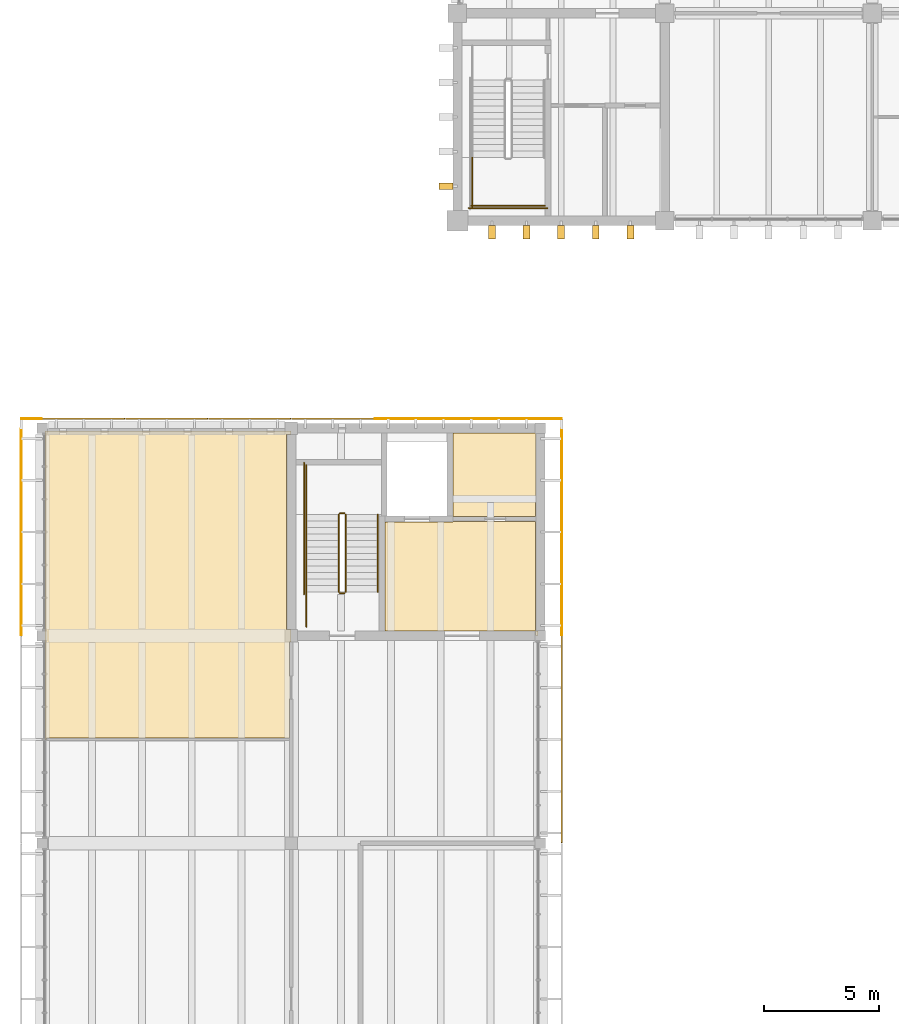
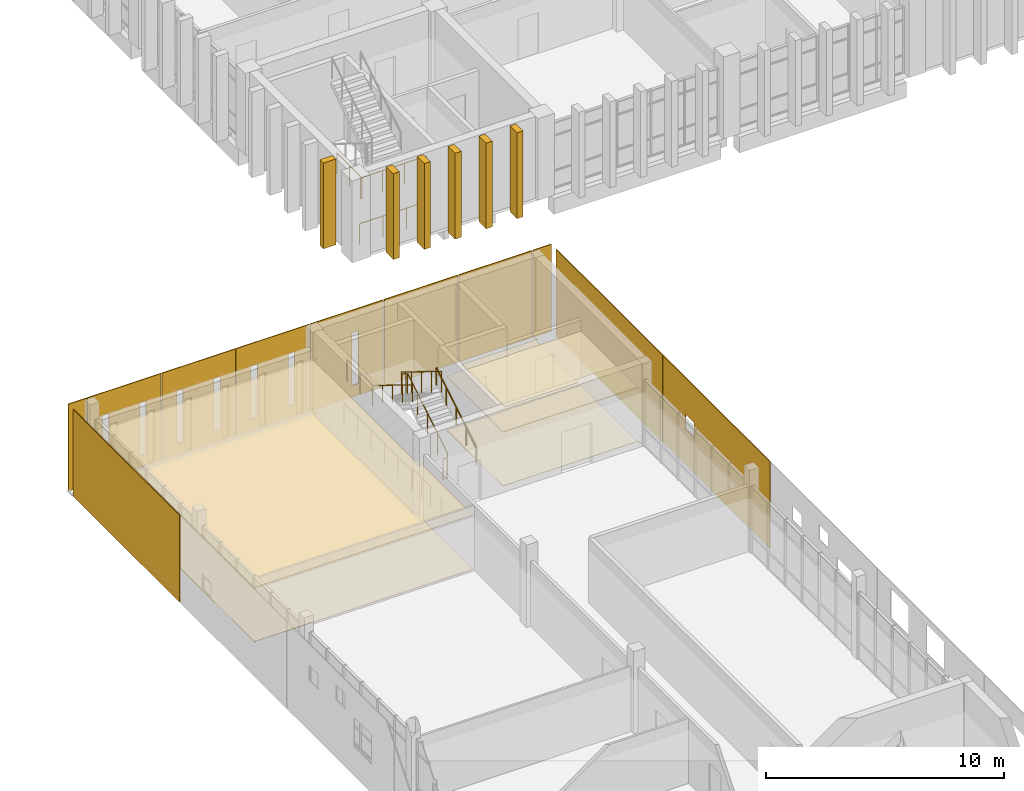
# One storey, part 46 of 50: 16 coverings, 12 railings, 6 shading devices.
"""IFC4 building model written with IfcOpenShell, lengths in metres."""

from ifc_helpers import new_model, si_unit, direction, frame, origin, origin_2d, place, context, subcontext, project, spatial, polyline, circle, outline, extrude, source, transform, mapped, material, layer, layer_set, type_object, element, save


model = new_model("IFC4")

# Units and contexts
model_context = context("Model", 3, precision=1e-05, world=origin(), true_north=direction((0.0, 1.0)))
body_context = subcontext(model_context, "Body", "Model", "MODEL_VIEW")
ifc_project = project(units=[si_unit("LENGTHUNIT", "METRE"), si_unit("AREAUNIT", "SQUARE_METRE"), si_unit("VOLUMEUNIT", "CUBIC_METRE"), si_unit("PLANEANGLEUNIT", "RADIAN"), si_unit("MASSUNIT", "GRAM", prefix="KILO")], contexts=[model_context])

# Site, building, storey
site_placement = place(None, origin())
site = spatial("IfcSite", under=ifc_project, at=site_placement, CompositionType="ELEMENT")
building_placement = place(site_placement, origin())
building = spatial("IfcBuilding", under=site, at=building_placement, Name="Merrow Basin Faculty of Sciences", CompositionType="ELEMENT")
storey_placement = place(building_placement, frame((0.0, 0.0, 18.0)))
storey = spatial("IfcBuildingStorey", under=building, at=storey_placement, Name="L04", CompositionType="ELEMENT", Elevation=18.0)

# Coverings
ifc_material_1 = material(Name="Carpet tile floor")
ifc_layer_1 = layer(ifc_material_1, 0.02001953125)
ifc_layer_set_1 = layer_set([ifc_layer_1], Name="Carpet tile floor")
covering_type_1 = type_object("IfcCoveringType", Name="Carpet tile floor", PredefinedType="FLOORING", material=ifc_layer_set_1)
covering_1_placement = place(storey_placement, origin())
element("IfcCovering", 1, at=covering_1_placement, inside=storey, type_object=covering_type_1, Name="Floor finish L04-B-013", PredefinedType="FLOORING", context=body_context, shape_type="SweptSolid", body=[
    extrude(outline(polyline([(21.389892578125, 129.18505859375), (17.81005859375, 129.18505859375), (17.81005859375, 132.7900390625), (21.385009765625, 132.7900390625), (21.385009765625, 132.889892578125), (21.489990234375, 132.889892578125), (21.489990234375, 132.784912109375), (21.389892578125, 132.784912109375), (21.389892578125, 129.18505859375)])), origin(), (0.0, 0.0, 1.0), 0.02001953125),
])
covering_2_placement = place(storey_placement, origin())
element("IfcCovering", 2, at=covering_2_placement, inside=storey, type_object=covering_type_1, Name="Floor finish L04-B-023", PredefinedType="FLOORING", context=body_context, shape_type="SweptSolid", body=[
    extrude(outline(polyline([(10.715087890625, 119.56005859375), (0.169921875, 119.56005859375), (0.169921875, 119.510009765625), (0.110107421875, 119.510009765625), (0.110107421875, 132.889892578125), (10.7900390625, 132.889892578125), (10.7900390625, 132.735107421875), (10.590087890625, 132.735107421875), (10.590087890625, 124.264892578125), (10.7900390625, 124.264892578125), (10.7900390625, 123.735107421875), (10.715087890625, 123.735107421875), (10.715087890625, 119.56005859375)])), origin(), (0.0, 0.0, 1.0), 0.02001953125),
])
ifc_material_2 = material(Name="Polished terrazzo floor")
ifc_layer_2 = layer(ifc_material_2, 0.02001953125)
ifc_layer_set_2 = layer_set([ifc_layer_2], Name="Polished terrazzo floor")
covering_type_2 = type_object("IfcCoveringType", Name="Polished terrazzo floor", PredefinedType="FLOORING", material=ifc_layer_set_2)
covering_3_placement = place(storey_placement, origin())
element("IfcCovering", 3, at=covering_3_placement, inside=storey, type_object=covering_type_2, Name="Floor finish L04-B-012", PredefinedType="FLOORING", context=body_context, shape_type="SweptSolid", body=[
    extrude(outline(polyline([(21.389892578125, 128.965087890625), (21.389892578125, 124.215087890625), (21.489990234375, 124.215087890625), (21.489990234375, 124.010009765625), (21.385009765625, 124.010009765625), (21.385009765625, 124.2099609375), (14.860107421875, 124.2099609375), (14.860107421875, 128.93994140625), (17.81005859375, 128.93994140625), (17.81005859375, 128.965087890625), (21.389892578125, 128.965087890625)])), origin(), (0.0, 0.0, 1.0), 0.02001953125),
])

# Railings
ifc_material_3 = material(Name="Steel ASTM A36", Category="steel")
railing_type_1 = type_object("IfcRailingType", Name="Steel guard 1100", PredefinedType="GUARDRAIL", material=ifc_material_3)
railing_1_placement = place(storey_placement, frame((13.14990234375, 125.89990234375, 0.173095703125)))
element("IfcRailing", 4, at=railing_1_placement, inside=storey, type_object=railing_type_1, Name="L04 ST-V4-N stair guard 1", PredefinedType="GUARDRAIL", context=body_context, shape_type="SweptSolid", body=[
    extrude(circle(Radius=0.02392578125, at=origin_2d()), frame((0.0, 0.0, 1.076171875), z_axis=(0.0, 0.850623216509, 0.525775754039), x_axis=(-1.0, 0.0, 0.0)), (0.0, 0.0, 1.0), 3.9501953125),
    extrude(circle(Radius=0.02099609375, at=origin_2d()), origin(), (0.0, 0.0, 1.0), 1.052001953125),
    extrude(circle(Radius=0.02099609375, at=origin_2d()), frame((0.0, 0.840087890625, 0.519287109375)), (0.0, 0.0, 1.0), 1.052001953125),
    extrude(circle(Radius=0.02099609375, at=origin_2d()), frame((0.0, 1.68017578125, 1.03857421875)), (0.0, 0.0, 1.0), 1.052001953125),
    extrude(circle(Radius=0.02099609375, at=origin_2d()), frame((0.0, 2.52001953125, 1.5576171875)), (0.0, 0.0, 1.0), 1.052001953125),
    extrude(circle(Radius=0.02099609375, at=origin_2d()), frame((0.0, 3.360107421875, 2.076904296875)), (0.0, 0.0, 1.0), 1.052001953125),
])
railing_2_placement = place(storey_placement, frame((13.10009765625, 129.31005859375, 2.25)))
element("IfcRailing", 5, at=railing_2_placement, inside=storey, type_object=railing_type_1, Name="L04 ST-V4-N stair guard 2", PredefinedType="GUARDRAIL", context=body_context, shape_type="SweptSolid", body=[
    extrude(circle(Radius=0.02392578125, at=origin_2d()), frame((0.0, 0.0, 1.076171875), z_axis=(-1.0, 0.0, 0.0), x_axis=(0.0, -1.0, 0.0)), (0.0, 0.0, 1.0), 0.2001953125),
    extrude(circle(Radius=0.02099609375, at=origin_2d()), origin(), (0.0, 0.0, 1.0), 1.052001953125),
    extrude(circle(Radius=0.02099609375, at=origin_2d()), frame((-0.2001953125, 0.0, 0.0)), (0.0, 0.0, 1.0), 1.052001953125),
])
railing_3_placement = place(storey_placement, frame((11.449951171875, 129.260009765625, 2.25)))
element("IfcRailing", 6, at=railing_3_placement, inside=storey, type_object=railing_type_1, Name="L04 ST-V4-N stair guard 3", PredefinedType="GUARDRAIL", context=body_context, shape_type="SweptSolid", body=[
    extrude(circle(Radius=0.02392578125, at=origin_2d()), frame((0.0, 0.0, 1.076171875), z_axis=(0.0, 1.0, 0.0), x_axis=(-1.0, 0.0, 0.0)), (0.0, 0.0, 1.0), 2.139892578125),
    extrude(circle(Radius=0.02099609375, at=origin_2d()), origin(), (0.0, 0.0, 1.0), 1.052001953125),
    extrude(circle(Radius=0.02099609375, at=origin_2d()), frame((0.0, 1.06982421875, 0.0)), (0.0, 0.0, 1.0), 1.052001953125),
    extrude(circle(Radius=0.02099609375, at=origin_2d()), frame((0.0, 2.139892578125, 0.0)), (0.0, 0.0, 1.0), 1.052001953125),
])
railing_4_placement = place(storey_placement, frame((12.85009765625, 129.260009765625, 2.423095703125)))
element("IfcRailing", 7, at=railing_4_placement, inside=storey, type_object=railing_type_1, Name="L04 ST-V4-N stair guard 4", PredefinedType="GUARDRAIL", context=body_context, shape_type="SweptSolid", body=[
    extrude(circle(Radius=0.02392578125, at=origin_2d()), frame((0.0, 0.0, 1.076171875), z_axis=(0.0, -0.850623216509, 0.525775754039), x_axis=(1.0, 0.0, 0.0)), (0.0, 0.0, 1.0), 3.9501953125),
    extrude(circle(Radius=0.02099609375, at=origin_2d()), origin(), (0.0, 0.0, 1.0), 1.052001953125),
    extrude(circle(Radius=0.02099609375, at=origin_2d()), frame((0.0, -0.840087890625, 0.519287109375)), (0.0, 0.0, 1.0), 1.052001953125),
    extrude(circle(Radius=0.02099609375, at=origin_2d()), frame((0.0, -1.68017578125, 1.03857421875)), (0.0, 0.0, 1.0), 1.052001953125),
    extrude(circle(Radius=0.02099609375, at=origin_2d()), frame((0.0, -2.52001953125, 1.5576171875)), (0.0, 0.0, 1.0), 1.052001953125),
    extrude(circle(Radius=0.02099609375, at=origin_2d()), frame((0.0, -3.360107421875, 2.076904296875)), (0.0, 0.0, 1.0), 1.052001953125),
])
railing_5_placement = place(storey_placement, frame((13.10009765625, 125.85009765625, 0.0)))
element("IfcRailing", 8, at=railing_5_placement, inside=storey, type_object=railing_type_1, Name="L04 ST-V4-N stair guard 5", PredefinedType="GUARDRAIL", context=body_context, shape_type="SweptSolid", body=[
    extrude(circle(Radius=0.02392578125, at=origin_2d()), frame((0.0, 0.0, 1.076171875), z_axis=(-1.0, 0.0, 0.0), x_axis=(0.0, -1.0, 0.0)), (0.0, 0.0, 1.0), 0.2001953125),
    extrude(circle(Radius=0.02099609375, at=origin_2d()), origin(), (0.0, 0.0, 1.0), 1.052001953125),
    extrude(circle(Radius=0.02099609375, at=origin_2d()), frame((-0.2001953125, 0.0, 0.0)), (0.0, 0.0, 1.0), 1.052001953125),
])
railing_6_placement = place(storey_placement, frame((11.449951171875, 124.39990234375, 0.0)))
element("IfcRailing", 9, at=railing_6_placement, inside=storey, type_object=railing_type_1, Name="L04 ST-V4-N stair guard 6", PredefinedType="GUARDRAIL", context=body_context, shape_type="SweptSolid", body=[
    extrude(circle(Radius=0.02392578125, at=origin_2d()), frame((0.0, 0.0, 1.076171875), z_axis=(0.0, 1.0, 0.0), x_axis=(-1.0, 0.0, 0.0)), (0.0, 0.0, 1.0), 1.5),
    extrude(circle(Radius=0.02099609375, at=origin_2d()), origin(), (0.0, 0.0, 1.0), 1.052001953125),
    extrude(circle(Radius=0.02099609375, at=origin_2d()), frame((0.0, 0.75, 0.0)), (0.0, 0.0, 1.0), 1.052001953125),
    extrude(circle(Radius=0.02099609375, at=origin_2d()), frame((0.0, 1.5, 0.0)), (0.0, 0.0, 1.0), 1.052001953125),
])
railing_7_placement = place(storey_placement, frame((11.35009765625, 125.800048828125, 0.0)))
element("IfcRailing", 10, at=railing_7_placement, inside=storey, type_object=railing_type_1, Name="L04 ST-V4-N stair guard 7", PredefinedType="GUARDRAIL", context=body_context, shape_type="SweptSolid", body=[
    extrude(circle(Radius=0.02392578125, at=origin_2d()), frame((0.0, 0.0, 1.076171875), z_axis=(0.0, 1.0, 0.0), x_axis=(-1.0, 0.0, 0.0)), (0.0, 0.0, 1.0), 5.699951171875),
    extrude(circle(Radius=0.02099609375, at=origin_2d()), origin(), (0.0, 0.0, 1.0), 1.052001953125),
    extrude(circle(Radius=0.02099609375, at=origin_2d()), frame((0.0, 1.139892578125, 0.0)), (0.0, 0.0, 1.0), 1.052001953125),
    extrude(circle(Radius=0.02099609375, at=origin_2d()), frame((0.0, 2.280029296875, 0.0)), (0.0, 0.0, 1.0), 1.052001953125),
    extrude(circle(Radius=0.02099609375, at=origin_2d()), frame((0.0, 3.419921875, 0.0)), (0.0, 0.0, 1.0), 1.052001953125),
    extrude(circle(Radius=0.02099609375, at=origin_2d()), frame((0.0, 4.56005859375, 0.0)), (0.0, 0.0, 1.0), 1.052001953125),
    extrude(circle(Radius=0.02099609375, at=origin_2d()), frame((0.0, 5.699951171875, 0.0)), (0.0, 0.0, 1.0), 1.052001953125),
])
railing_8_placement = place(storey_placement, frame((18.64990234375, 144.739990234375, 2.25)))
element("IfcRailing", 11, at=railing_8_placement, inside=storey, type_object=railing_type_1, Name="L04 ST-V5-W stair guard 3", PredefinedType="GUARDRAIL", context=body_context, shape_type="SweptSolid", body=[
    extrude(circle(Radius=0.02392578125, at=origin_2d()), frame((0.0, 0.0, 1.076171875), z_axis=(0.0, -1.0, 0.0), x_axis=(1.0, 0.0, 0.0)), (0.0, 0.0, 1.0), 2.139892578125),
    extrude(circle(Radius=0.02099609375, at=origin_2d()), origin(), (0.0, 0.0, 1.0), 1.052001953125),
    extrude(circle(Radius=0.02099609375, at=origin_2d()), frame((0.0, -1.06982421875, 0.0)), (0.0, 0.0, 1.0), 1.052001953125),
    extrude(circle(Radius=0.02099609375, at=origin_2d()), frame((0.0, -2.139892578125, 0.0)), (0.0, 0.0, 1.0), 1.052001953125),
])
railing_9_placement = place(storey_placement, frame((18.60009765625, 142.64990234375, 2.25)))
element("IfcRailing", 12, at=railing_9_placement, inside=storey, type_object=railing_type_1, Name="L04 ST-V5-W stair guard 4", PredefinedType="GUARDRAIL", context=body_context, shape_type="SweptSolid", body=[
    extrude(circle(Radius=0.02392578125, at=origin_2d()), frame((0.0, 0.0, 1.076171875), z_axis=(1.0, 0.0, 0.0), x_axis=(0.0, 1.0, 0.0)), (0.0, 0.0, 1.0), 3.199951171875),
    extrude(circle(Radius=0.02099609375, at=origin_2d()), origin(), (0.0, 0.0, 1.0), 1.052001953125),
    extrude(circle(Radius=0.02099609375, at=origin_2d()), frame((1.066650390625, 0.0, 0.0)), (0.0, 0.0, 1.0), 1.052001953125),
    extrude(circle(Radius=0.02099609375, at=origin_2d()), frame((2.13330078125, 0.0, 0.0)), (0.0, 0.0, 1.0), 1.052001953125),
    extrude(circle(Radius=0.02099609375, at=origin_2d()), frame((3.199951171875, 0.0, 0.0)), (0.0, 0.0, 1.0), 1.052001953125),
])
railing_10_placement = place(storey_placement, frame((18.5, 142.550048828125, 0.0)))
element("IfcRailing", 13, at=railing_10_placement, inside=storey, type_object=railing_type_1, Name="L04 ST-V5-W stair guard 9", PredefinedType="GUARDRAIL", context=body_context, shape_type="SweptSolid", body=[
    extrude(circle(Radius=0.02392578125, at=origin_2d()), frame((0.0, 0.0, 1.076171875), z_axis=(1.0, 0.0, 0.0), x_axis=(0.0, 1.0, 0.0)), (0.0, 0.0, 1.0), 3.39990234375),
    extrude(circle(Radius=0.02099609375, at=origin_2d()), origin(), (0.0, 0.0, 1.0), 1.052001953125),
    extrude(circle(Radius=0.02099609375, at=origin_2d()), frame((1.13330078125, 0.0, 0.0)), (0.0, 0.0, 1.0), 1.052001953125),
    extrude(circle(Radius=0.02099609375, at=origin_2d()), frame((2.2666015625, 0.0, 0.0)), (0.0, 0.0, 1.0), 1.052001953125),
    extrude(circle(Radius=0.02099609375, at=origin_2d()), frame((3.39990234375, 0.0, 0.0)), (0.0, 0.0, 1.0), 1.052001953125),
])
ifc_material_4 = material(Name="Steel ASTM A36", Category="steel")
railing_type_2 = type_object("IfcRailingType", Name="Steel handrail 900", PredefinedType="HANDRAIL", material=ifc_material_4)
railing_11_placement = place(storey_placement, frame((14.550048828125, 125.89990234375, 0.173095703125)))
element("IfcRailing", 14, at=railing_11_placement, inside=storey, type_object=railing_type_2, Name="L04 ST-V4-N stair handrail 1", PredefinedType="HANDRAIL", context=body_context, shape_type="SweptSolid", body=[
    extrude(circle(Radius=0.02392578125, at=origin_2d()), frame((0.0, 0.0, 0.8759765625), z_axis=(0.0, 0.850623216509, 0.525775754039), x_axis=(-1.0, 0.0, 0.0)), (0.0, 0.0, 1.0), 3.9501953125),
    extrude(circle(Radius=0.02099609375, at=origin_2d()), origin(), (0.0, 0.0, 1.0), 0.851806640625),
    extrude(circle(Radius=0.02099609375, at=origin_2d()), frame((0.0, 0.840087890625, 0.519287109375)), (0.0, 0.0, 1.0), 0.851806640625),
    extrude(circle(Radius=0.02099609375, at=origin_2d()), frame((0.0, 1.68017578125, 1.03857421875)), (0.0, 0.0, 1.0), 0.851806640625),
    extrude(circle(Radius=0.02099609375, at=origin_2d()), frame((0.0, 2.52001953125, 1.5576171875)), (0.0, 0.0, 1.0), 0.851806640625),
    extrude(circle(Radius=0.02099609375, at=origin_2d()), frame((0.0, 3.360107421875, 2.076904296875)), (0.0, 0.0, 1.0), 0.851806640625),
])
railing_12_placement = place(storey_placement, frame((11.449951171875, 129.260009765625, 2.423095703125)))
element("IfcRailing", 15, at=railing_12_placement, inside=storey, type_object=railing_type_2, Name="L04 ST-V4-N stair handrail 2", PredefinedType="HANDRAIL", context=body_context, shape_type="SweptSolid", body=[
    extrude(circle(Radius=0.02392578125, at=origin_2d()), frame((0.0, 0.0, 0.8759765625), z_axis=(0.0, -0.850623216509, 0.525775754039), x_axis=(1.0, 0.0, 0.0)), (0.0, 0.0, 1.0), 3.9501953125),
    extrude(circle(Radius=0.02099609375, at=origin_2d()), origin(), (0.0, 0.0, 1.0), 0.851806640625),
    extrude(circle(Radius=0.02099609375, at=origin_2d()), frame((0.0, -0.840087890625, 0.519287109375)), (0.0, 0.0, 1.0), 0.851806640625),
    extrude(circle(Radius=0.02099609375, at=origin_2d()), frame((0.0, -1.68017578125, 1.03857421875)), (0.0, 0.0, 1.0), 0.851806640625),
    extrude(circle(Radius=0.02099609375, at=origin_2d()), frame((0.0, -2.52001953125, 1.5576171875)), (0.0, 0.0, 1.0), 0.851806640625),
    extrude(circle(Radius=0.02099609375, at=origin_2d()), frame((0.0, -3.360107421875, 2.076904296875)), (0.0, 0.0, 1.0), 0.851806640625),
])

# Coverings
ifc_material_5 = material(Name="Mineral fibre ceiling tile")
ifc_layer_3 = layer(ifc_material_5, 0.050048828125)
ifc_layer_set_3 = layer_set([ifc_layer_3], Name="Suspended acoustic ceiling tile")
covering_type_3 = type_object("IfcCoveringType", Name="Suspended acoustic ceiling tile", PredefinedType="CEILING", material=ifc_layer_set_3)
covering_4_placement = place(storey_placement, frame((0.0, 0.0, 2.75)))
element("IfcCovering", 16, at=covering_4_placement, inside=storey, type_object=covering_type_3, Name="Ceiling L04-B-012", PredefinedType="CEILING", context=body_context, shape_type="SweptSolid", body=[
    extrude(outline(polyline([(21.389892578125, 128.965087890625), (21.389892578125, 124.215087890625), (21.489990234375, 124.215087890625), (21.489990234375, 124.010009765625), (21.385009765625, 124.010009765625), (21.385009765625, 124.2099609375), (14.860107421875, 124.2099609375), (14.860107421875, 128.93994140625), (17.81005859375, 128.93994140625), (17.81005859375, 128.965087890625), (21.389892578125, 128.965087890625)])), origin(), (0.0, 0.0, 1.0), 0.050048828125),
])
covering_5_placement = place(storey_placement, frame((0.0, 0.0, 2.75)))
element("IfcCovering", 17, at=covering_5_placement, inside=storey, type_object=covering_type_3, Name="Ceiling L04-B-023", PredefinedType="CEILING", context=body_context, shape_type="SweptSolid", body=[
    extrude(outline(polyline([(10.715087890625, 119.56005859375), (0.169921875, 119.56005859375), (0.169921875, 119.510009765625), (0.110107421875, 119.510009765625), (0.110107421875, 132.889892578125), (10.7900390625, 132.889892578125), (10.7900390625, 132.735107421875), (10.590087890625, 132.735107421875), (10.590087890625, 124.264892578125), (10.7900390625, 124.264892578125), (10.7900390625, 123.735107421875), (10.715087890625, 123.735107421875), (10.715087890625, 119.56005859375)])), origin(), (0.0, 0.0, 1.0), 0.050048828125),
])
ifc_material_6 = material(Name="White powder-coated aluminium", Category="aluminium")
ifc_layer_4 = layer(ifc_material_6, 0.0400390625)
ifc_layer_set_4 = layer_set([ifc_layer_4], Name="Perforated panel 9000 x 4500")
covering_type_4 = type_object("IfcCoveringType", Name="Perforated panel 9000 x 4500", PredefinedType="CLADDING", material=ifc_layer_set_4)
shared_shape_1 = source(origin(), body_context, "Body", "SweptSolid", [
    extrude(outline(polyline([(0.02001953125, 0.02001953125), (8.97998046875, 0.02001953125), (8.97998046875, 4.47998046875), (0.02001953125, 4.47998046875), (0.02001953125, 0.02001953125)]), holes=[polyline([(1.875, 1.875), (2.625, 1.875), (2.625, 2.625), (1.875, 2.625), (1.875, 1.875)])]), origin(), (0.0, 0.0, 1.0), 0.0400390625),
])
covering_6_placement = place(storey_placement, frame((22.5400390625, 124.0, -0.320068359375), z_axis=(-1.0, 0.0, 0.0), x_axis=(0.0, -1.0, 0.0)))
element("IfcCovering", 18, at=covering_6_placement, inside=storey, type_object=covering_type_4, Name="Perforated panel EL04-07", PredefinedType="CLADDING", context=body_context, shape_type="MappedRepresentation", body=[
    mapped(shared_shape_1, transform((0.0, 0.0, 0.0), scale=1.0)),
])
shared_shape_2 = source(origin(), body_context, "Body", "SweptSolid", [
    extrude(outline(polyline([(0.02001953125, 0.02001953125), (8.97998046875, 0.02001953125), (8.97998046875, 4.47998046875), (0.02001953125, 4.47998046875), (0.02001953125, 0.02001953125)])), origin(), (0.0, 0.0, 1.0), 0.0400390625),
])
covering_7_placement = place(storey_placement, frame((-0.93994140625, 124.0, -0.320068359375), z_axis=(1.0, 0.0, 0.0), x_axis=(0.0, 1.0, 0.0)))
element("IfcCovering", 19, at=covering_7_placement, inside=storey, type_object=covering_type_4, Name="Perforated panel WL04-08", PredefinedType="CLADDING", context=body_context, shape_type="MappedRepresentation", body=[
    mapped(shared_shape_2, transform((0.0, 0.0, 0.0), scale=1.0)),
])
shared_shape_3 = source(origin(), body_context, "Body", "SweptSolid", [
    extrude(outline(polyline([(0.02001953125, 0.02001953125), (8.97998046875, 0.02001953125), (8.97998046875, 4.47998046875), (0.02001953125, 4.47998046875), (0.02001953125, 0.02001953125)])), origin(), (0.0, 0.0, 1.0), 0.0400390625),
])
covering_8_placement = place(storey_placement, frame((22.5400390625, 133.0, -0.320068359375), z_axis=(-1.0, 0.0, 0.0), x_axis=(0.0, -1.0, 0.0)))
element("IfcCovering", 20, at=covering_8_placement, inside=storey, type_object=covering_type_4, Name="Perforated panel EL04-08", PredefinedType="CLADDING", context=body_context, shape_type="MappedRepresentation", body=[
    mapped(shared_shape_3, transform((0.0, 0.0, 0.0), scale=1.0)),
])
ifc_material_7 = material(Name="White powder-coated aluminium", Category="aluminium")
ifc_layer_5 = layer(ifc_material_7, 0.0400390625)
ifc_layer_set_5 = layer_set([ifc_layer_5], Name="End corner panel 940 x 4500")
covering_type_5 = type_object("IfcCoveringType", Name="End corner panel 940 x 4500", PredefinedType="CLADDING", material=ifc_layer_set_5)
shared_shape_4 = source(origin(), body_context, "Body", "SweptSolid", [
    extrude(outline(polyline([(0.02001953125, 0.02001953125), (0.919921875, 0.02001953125), (0.919921875, 4.47998046875), (0.02001953125, 4.47998046875), (0.02001953125, 0.02001953125)])), origin(), (0.0, 0.0, 1.0), 0.0400390625),
])
covering_9_placement = place(storey_placement, frame((-0.93994140625, 133.43994140625, -0.320068359375), z_axis=(0.0, -1.0, 0.0), x_axis=(1.0, 0.0, 0.0)))
element("IfcCovering", 21, at=covering_9_placement, inside=storey, type_object=covering_type_5, Name="End panel NL04-01", PredefinedType="CLADDING", context=body_context, shape_type="MappedRepresentation", body=[
    mapped(shared_shape_4, transform((0.0, 0.0, 0.0), scale=1.0)),
])
ifc_material_8 = material(Name="White powder-coated aluminium", Category="aluminium")
ifc_layer_6 = layer(ifc_material_8, 0.0400390625)
ifc_layer_set_6 = layer_set([ifc_layer_6], Name="End panel 3600 x 4500")
covering_type_6 = type_object("IfcCoveringType", Name="End panel 3600 x 4500", PredefinedType="CLADDING", material=ifc_layer_set_6)
shared_shape_5 = source(origin(), body_context, "Body", "SweptSolid", [
    extrude(outline(polyline([(0.02001953125, 0.02001953125), (3.580078125, 0.02001953125), (3.580078125, 4.47998046875), (0.02001953125, 4.47998046875), (0.02001953125, 0.02001953125)]), holes=[polyline([(0.75, 0.6201171875), (1.050048828125, 0.6201171875), (1.050048828125, 3.320068359375), (0.75, 3.320068359375), (0.75, 0.6201171875)]), polyline([(2.550048828125, 0.6201171875), (2.85009765625, 0.6201171875), (2.85009765625, 3.320068359375), (2.550048828125, 3.320068359375), (2.550048828125, 0.6201171875)])]), origin(), (0.0, 0.0, 1.0), 0.0400390625),
])
covering_10_placement = place(storey_placement, frame((0.0, 133.43994140625, -0.320068359375), z_axis=(0.0, -1.0, 0.0), x_axis=(1.0, 0.0, 0.0)))
element("IfcCovering", 22, at=covering_10_placement, inside=storey, type_object=covering_type_6, Name="End panel NL04-02", PredefinedType="CLADDING", context=body_context, shape_type="MappedRepresentation", body=[
    mapped(shared_shape_5, transform((0.0, 0.0, 0.0), scale=1.0)),
])
shared_shape_6 = source(origin(), body_context, "Body", "SweptSolid", [
    extrude(outline(polyline([(0.02001953125, 0.02001953125), (3.580078125, 0.02001953125), (3.580078125, 4.47998046875), (0.02001953125, 4.47998046875), (0.02001953125, 0.02001953125)]), holes=[polyline([(0.75, 0.6201171875), (1.050048828125, 0.6201171875), (1.050048828125, 3.320068359375), (0.75, 3.320068359375), (0.75, 0.6201171875)]), polyline([(2.550048828125, 0.6201171875), (2.85009765625, 0.6201171875), (2.85009765625, 3.320068359375), (2.550048828125, 3.320068359375), (2.550048828125, 0.6201171875)])]), origin(), (0.0, 0.0, 1.0), 0.0400390625),
])
covering_11_placement = place(storey_placement, frame((3.60009765625, 133.43994140625, -0.320068359375), z_axis=(0.0, -1.0, 0.0), x_axis=(1.0, 0.0, 0.0)))
element("IfcCovering", 23, at=covering_11_placement, inside=storey, type_object=covering_type_6, Name="End panel NL04-03", PredefinedType="CLADDING", context=body_context, shape_type="MappedRepresentation", body=[
    mapped(shared_shape_6, transform((0.0, 0.0, 0.0), scale=1.0)),
])
shared_shape_7 = source(origin(), body_context, "Body", "SweptSolid", [
    extrude(outline(polyline([(0.02001953125, 0.02001953125), (3.580078125, 0.02001953125), (3.580078125, 4.47998046875), (0.02001953125, 4.47998046875), (0.02001953125, 0.02001953125)]), holes=[polyline([(0.75, 0.6201171875), (1.050048828125, 0.6201171875), (1.050048828125, 3.320068359375), (0.75, 3.320068359375), (0.75, 0.6201171875)]), polyline([(2.550048828125, 0.6201171875), (2.85009765625, 0.6201171875), (2.85009765625, 3.320068359375), (2.550048828125, 3.320068359375), (2.550048828125, 0.6201171875)])]), origin(), (0.0, 0.0, 1.0), 0.0400390625),
])
covering_12_placement = place(storey_placement, frame((7.199951171875, 133.43994140625, -0.320068359375), z_axis=(0.0, -1.0, 0.0), x_axis=(1.0, 0.0, 0.0)))
element("IfcCovering", 24, at=covering_12_placement, inside=storey, type_object=covering_type_6, Name="End panel NL04-04", PredefinedType="CLADDING", context=body_context, shape_type="MappedRepresentation", body=[
    mapped(shared_shape_7, transform((0.0, 0.0, 0.0), scale=1.0)),
])
shared_shape_8 = source(origin(), body_context, "Body", "SweptSolid", [
    extrude(outline(polyline([(0.02001953125, 0.02001953125), (3.580078125, 0.02001953125), (3.580078125, 4.47998046875), (0.02001953125, 4.47998046875), (0.02001953125, 0.02001953125)]), holes=[polyline([(2.050048828125, 0.6201171875), (2.35009765625, 0.6201171875), (2.35009765625, 3.320068359375), (2.050048828125, 3.320068359375), (2.050048828125, 0.6201171875)])]), origin(), (0.0, 0.0, 1.0), 0.0400390625),
])
covering_13_placement = place(storey_placement, frame((10.800048828125, 133.43994140625, -0.320068359375), z_axis=(0.0, -1.0, 0.0), x_axis=(1.0, 0.0, 0.0)))
element("IfcCovering", 25, at=covering_13_placement, inside=storey, type_object=covering_type_6, Name="End panel NL04-05", PredefinedType="CLADDING", context=body_context, shape_type="MappedRepresentation", body=[
    mapped(shared_shape_8, transform((0.0, 0.0, 0.0), scale=1.0)),
])
shared_shape_9 = source(origin(), body_context, "Body", "SweptSolid", [
    extrude(outline(polyline([(0.02001953125, 0.02001953125), (3.580078125, 0.02001953125), (3.580078125, 4.47998046875), (0.02001953125, 4.47998046875), (0.02001953125, 0.02001953125)])), origin(), (0.0, 0.0, 1.0), 0.0400390625),
])
covering_14_placement = place(storey_placement, frame((14.39990234375, 133.43994140625, -0.320068359375), z_axis=(0.0, -1.0, 0.0), x_axis=(1.0, 0.0, 0.0)))
element("IfcCovering", 26, at=covering_14_placement, inside=storey, type_object=covering_type_6, Name="End panel NL04-06", PredefinedType="CLADDING", context=body_context, shape_type="MappedRepresentation", body=[
    mapped(shared_shape_9, transform((0.0, 0.0, 0.0), scale=1.0)),
])
shared_shape_10 = source(origin(), body_context, "Body", "SweptSolid", [
    extrude(outline(polyline([(0.02001953125, 0.02001953125), (3.580078125, 0.02001953125), (3.580078125, 4.47998046875), (0.02001953125, 4.47998046875), (0.02001953125, 0.02001953125)])), origin(), (0.0, 0.0, 1.0), 0.0400390625),
])
covering_15_placement = place(storey_placement, frame((18.0, 133.43994140625, -0.320068359375), z_axis=(0.0, -1.0, 0.0), x_axis=(1.0, 0.0, 0.0)))
element("IfcCovering", 27, at=covering_15_placement, inside=storey, type_object=covering_type_6, Name="End panel NL04-07", PredefinedType="CLADDING", context=body_context, shape_type="MappedRepresentation", body=[
    mapped(shared_shape_10, transform((0.0, 0.0, 0.0), scale=1.0)),
])
shared_shape_11 = source(origin(), body_context, "Body", "SweptSolid", [
    extrude(outline(polyline([(0.02001953125, 0.02001953125), (0.919921875, 0.02001953125), (0.919921875, 4.47998046875), (0.02001953125, 4.47998046875), (0.02001953125, 0.02001953125)])), origin(), (0.0, 0.0, 1.0), 0.0400390625),
])
covering_16_placement = place(storey_placement, frame((21.60009765625, 133.43994140625, -0.320068359375), z_axis=(0.0, -1.0, 0.0), x_axis=(1.0, 0.0, 0.0)))
element("IfcCovering", 28, at=covering_16_placement, inside=storey, type_object=covering_type_5, Name="End panel NL04-08", PredefinedType="CLADDING", context=body_context, shape_type="MappedRepresentation", body=[
    mapped(shared_shape_11, transform((0.0, 0.0, 0.0), scale=1.0)),
])

# Shading devices
ifc_material_9 = material(Name="White precast concrete C50/60", Category="concrete")
shading_device_type = type_object("IfcShadingDeviceType", Name="White precast fin 300 x 600", PredefinedType="USERDEFINED", material=ifc_material_9)
shared_shape_12 = source(origin(), body_context, "Body", "SweptSolid", [
    extrude(outline(polyline([(0.0, 0.0), (0.300048828125, 0.0), (0.300048828125, 4.39990234375), (0.0, 4.39990234375), (0.0, 0.0)])), origin(), (0.0, 0.0, 1.0), 0.60009765625),
])
for number, where, z_axis, x_axis, name in (
    (29, (19.35009765625, 141.800048828125, -0.25), (0.0, -1.0, 0.0), (1.0, 0.0, 0.0), "Brise-soleil fin SL04"),
    (30, (20.85009765625, 141.800048828125, -0.25), (0.0, -1.0, 0.0), (1.0, 0.0, 0.0), "Brise-soleil fin SL04"),
    (31, (22.35009765625, 141.800048828125, -0.25), (0.0, -1.0, 0.0), (1.0, 0.0, 0.0), "Brise-soleil fin SL04"),
    (32, (23.85009765625, 141.800048828125, -0.25), (0.0, -1.0, 0.0), (1.0, 0.0, 0.0), "Brise-soleil fin SL04"),
    (33, (25.35009765625, 141.800048828125, -0.25), (0.0, -1.0, 0.0), (1.0, 0.0, 0.0), "Brise-soleil fin SL04"),
    (34, (17.800048828125, 143.64990234375, -0.25), (-1.0, 0.0, 0.0), (0.0, -1.0, 0.0), "Brise-soleil fin WL04"),
):
    element("IfcShadingDevice", number, at=place(storey_placement, frame(where, z_axis=z_axis, x_axis=x_axis)), inside=storey, type_object=shading_device_type, Name=name, ObjectType="FIN", PredefinedType="USERDEFINED", context=body_context, shape_type="MappedRepresentation", body=[
        mapped(shared_shape_12, transform((0.0, 0.0, 0.0), scale=1.0)),
    ])

save(model, "model.ifc")
